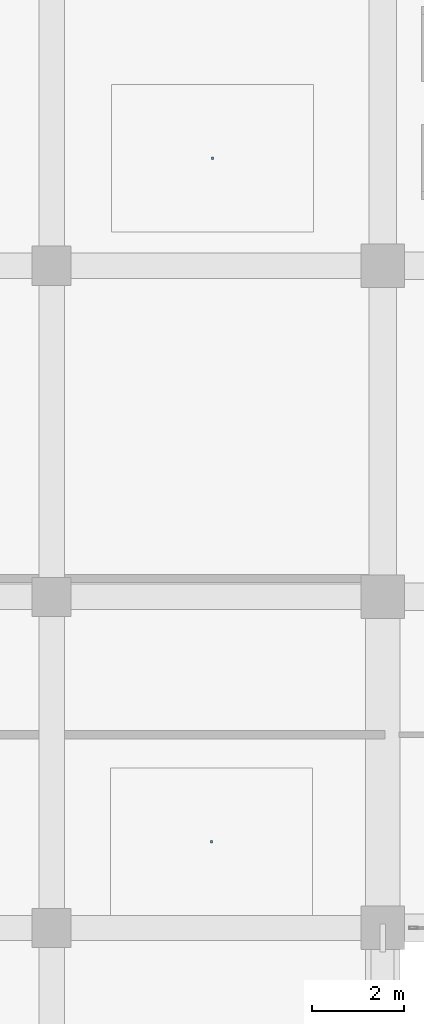
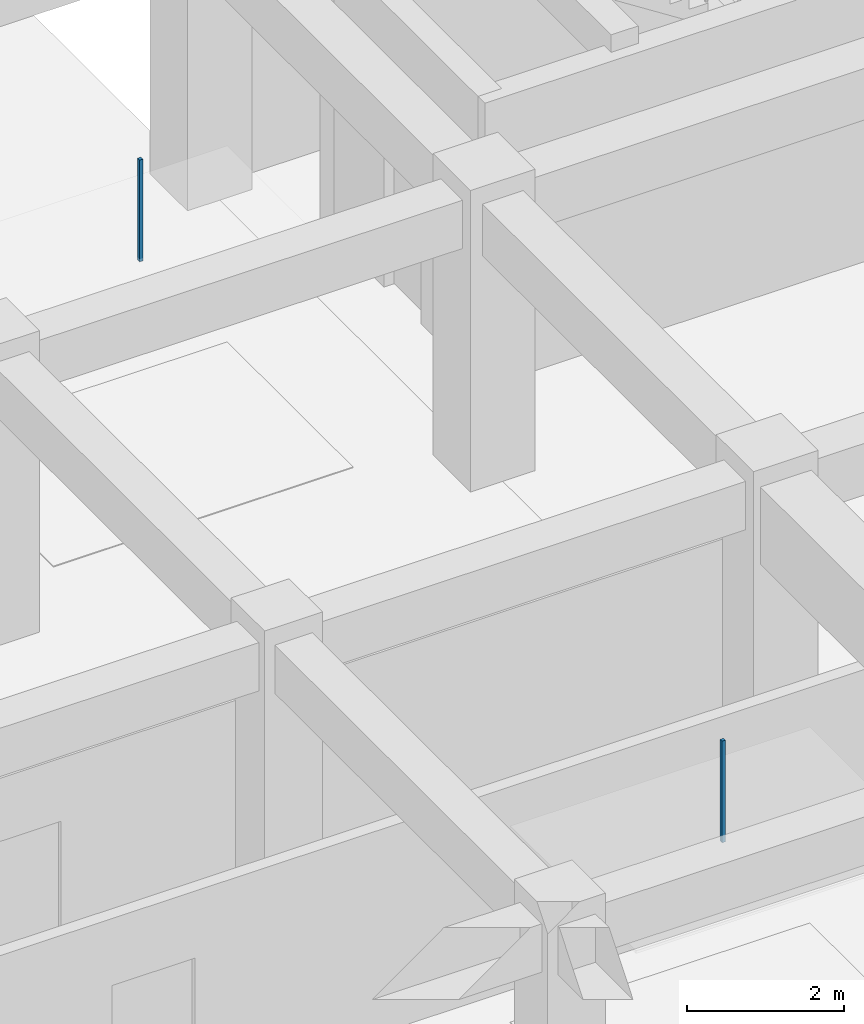
# One storey, part 39 of 54: 2 discrete accessories.
"""IFC4 building model written with IfcOpenShell, lengths in metres."""

from ifc_helpers import new_model, si_unit, direction, frame, origin, origin_2d, place, context, subcontext, project, spatial, rectangle, extrude, material, type_object, element, save


model = new_model("IFC4")

# Units and contexts
model_context = context("Model", 3, precision=1e-05, world=origin(), true_north=direction((0.0, 1.0)))
body_context = subcontext(model_context, "Body", "Model", "MODEL_VIEW")
ifc_project = project(units=[si_unit("LENGTHUNIT", "METRE"), si_unit("AREAUNIT", "SQUARE_METRE"), si_unit("VOLUMEUNIT", "CUBIC_METRE"), si_unit("PLANEANGLEUNIT", "RADIAN"), si_unit("MASSUNIT", "GRAM", prefix="KILO")], contexts=[model_context])

# Site, building, storey
site_placement = place(None, origin())
site = spatial("IfcSite", under=ifc_project, at=site_placement, CompositionType="ELEMENT")
building_placement = place(site_placement, origin())
building = spatial("IfcBuilding", under=site, at=building_placement, Name="Kazehaya Institute of Natural Sciences", CompositionType="ELEMENT")
storey_placement = place(building_placement, frame((0.0, 0.0, 10.43994140625)))
storey = spatial("IfcBuildingStorey", under=building, at=storey_placement, Name="L02", CompositionType="ELEMENT", Elevation=10.43994140625)

# Discrete accessories
ifc_material = material(Name="Structural steel SN490B", Category="steel")
discrete_accessory_type = type_object("IfcDiscreteAccessoryType", Name="ACC-CLG-HGR", PredefinedType="BRACKET", material=ifc_material)
for number, where, z_axis, x_axis, name in (
    (1, (50.875, 15.87451171875, 3.0224609375), (0.0, 0.0, 1.0), (1.0, 0.0, 0.0), "L02 ceiling suspension hanger 27"),
    (2, (50.89990234375, 30.73681640625, 3.0224609375), (0.0, 0.0, 1.0), (1.0, 0.0, 0.0), "L02 ceiling suspension hanger 28"),
):
    element("IfcDiscreteAccessory", number, at=place(storey_placement, frame(where, z_axis=z_axis, x_axis=x_axis)), inside=storey, type_object=discrete_accessory_type, Name=name, PredefinedType="BRACKET", context=body_context, shape_type="SweptSolid", body=[
        extrude(rectangle(XDim=0.050048828125, YDim=0.050048828125, at=origin_2d()), origin(), (0.0, 0.0, 1.0), 1.577392578125),
    ])

save(model, "model.ifc")
